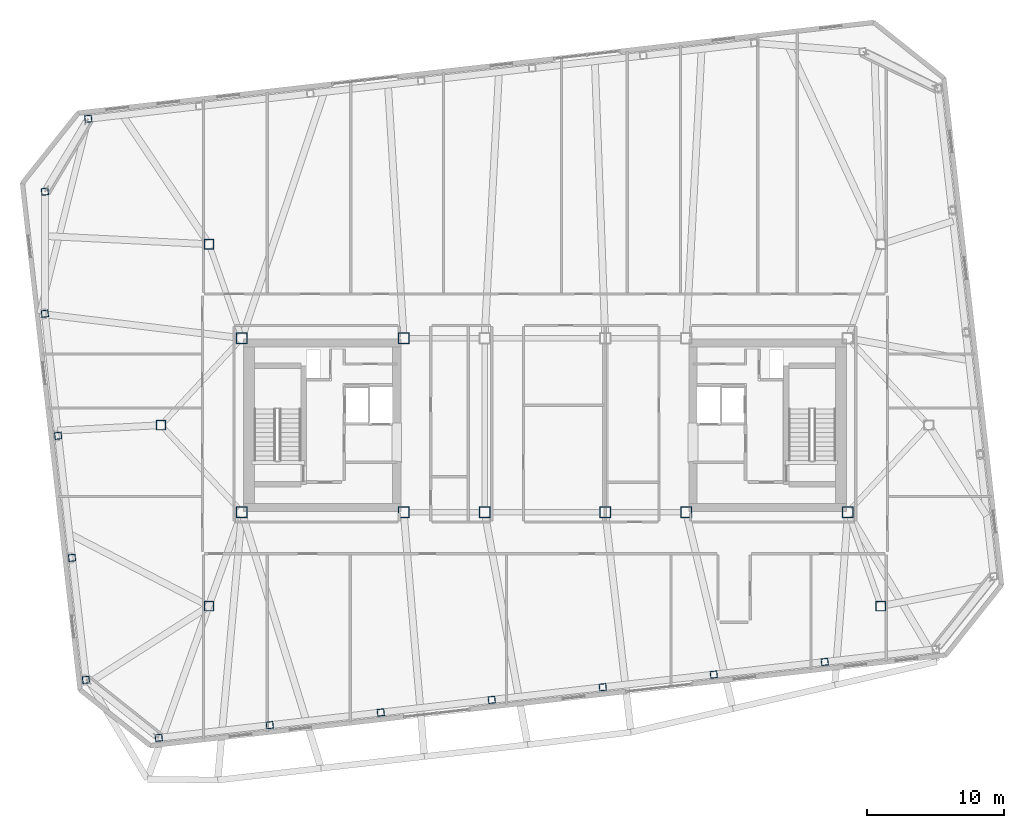
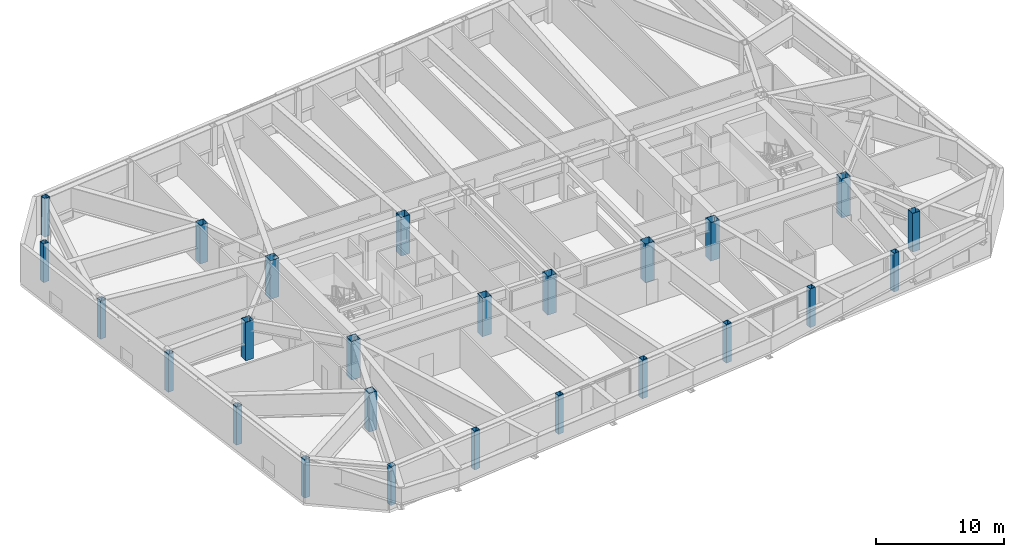
# One storey, part 1 of 18: 25 columns.
"""IFC4 building model written with IfcOpenShell, lengths in metres."""

from ifc_helpers import new_model, si_unit, direction, frame, origin, origin_2d, place, context, subcontext, project, spatial, hollow_rectangle, extrude, material, material_profile, profile_set, type_object, element, save


model = new_model("IFC4")

# Units and contexts
model_context = context("Model", 3, precision=1e-05, world=origin(), true_north=direction((0.0, 1.0)))
body_context = subcontext(model_context, "Body", "Model", "MODEL_VIEW")
ifc_project = project(units=[si_unit("LENGTHUNIT", "METRE"), si_unit("AREAUNIT", "SQUARE_METRE"), si_unit("VOLUMEUNIT", "CUBIC_METRE"), si_unit("PLANEANGLEUNIT", "RADIAN"), si_unit("MASSUNIT", "GRAM", prefix="KILO")], contexts=[model_context])

# Site, building, storey
site_placement = place(None, origin())
site = spatial("IfcSite", under=ifc_project, at=site_placement, CompositionType="ELEMENT")
building_placement = place(site_placement, origin())
building = spatial("IfcBuilding", under=site, at=building_placement, Name="Tavrogorsk Clinical Tower", CompositionType="ELEMENT")
storey_placement = place(building_placement, frame((0.0, 0.0, 267.0)))
storey = spatial("IfcBuildingStorey", under=building, at=storey_placement, Name="L62", CompositionType="ELEMENT", Elevation=267.0)

# Columns
ifc_material_1 = material(Name="Structural steel S440", Category="steel")
ifc_material_profile_1 = material_profile(ifc_material_1, hollow_rectangle(XDim=0.699951171875, YDim=0.699951171875, WallThickness=0.031982421875, at=origin_2d()), Name="BOX-700x700x32")
ifc_profile_set_1 = profile_set([ifc_material_profile_1], Name="Structural steel S440")
column_type_1 = type_object("IfcColumnType", Name="MegaCol_BOX700", PredefinedType="COLUMN", material=ifc_profile_set_1)
for number, where, z_axis, x_axis, name in (
    (1, (-24.5, -13.199951171875, 0.0), (0.0, 0.0, 1.0), (1.0, 0.0, 0.0), "L62 Spine Pilotis Column MC-P1"),
    (2, (24.5, -13.199951171875, 0.0), (0.0, 0.0, 1.0), (1.0, 0.0, 0.0), "L62 Spine Pilotis Column MC-P2"),
    (3, (-24.5, 13.199951171875, 0.0), (0.0, 0.0, 1.0), (1.0, 0.0, 0.0), "L62 Spine Pilotis Column MC-P3"),
    (4, (-28.0, 0.0, 0.0), (0.0, 0.0, 1.0), (1.0, 0.0, 0.0), "L62 Spine Pilotis Column MC-P5"),
):
    element("IfcColumn", number, at=place(storey_placement, frame(where, z_axis=z_axis, x_axis=x_axis)), inside=storey, type_object=column_type_1, Name=name, PredefinedType="COLUMN", context=body_context, shape_type="SweptSolid", body=[
        extrude(hollow_rectangle(XDim=0.699951171875, YDim=0.699951171875, WallThickness=0.031982421875, at=origin_2d()), origin(), (0.0, 0.0, 1.0), 3.679931640625),
    ])
ifc_material_2 = material(Name="Structural steel S440", Category="steel")
ifc_material_profile_2 = material_profile(ifc_material_2, hollow_rectangle(XDim=0.800048828125, YDim=0.800048828125, WallThickness=0.035888671875, at=origin_2d()), Name="BOX-800x800x36")
ifc_profile_set_2 = profile_set([ifc_material_profile_2], Name="Structural steel S440")
column_type_2 = type_object("IfcColumnType", Name="MegaCol_BOX800", PredefinedType="COLUMN", material=ifc_profile_set_2)
for number, where, z_axis, x_axis, name in (
    (5, (-22.10009765625, -6.35009765625, 0.0), (0.0, 0.0, 1.0), (1.0, 0.0, 0.0), "L62 Mega Column MC-W1"),
    (6, (-22.10009765625, 6.35009765625, 0.0), (0.0, 0.0, 1.0), (1.0, 0.0, 0.0), "L62 Mega Column MC-W2"),
    (7, (-10.300048828125, -6.35009765625, 0.0), (0.0, 0.0, 1.0), (1.0, 0.0, 0.0), "L62 Mega Column MC-W3"),
    (8, (-10.300048828125, 6.35009765625, 0.0), (0.0, 0.0, 1.0), (1.0, 0.0, 0.0), "L62 Mega Column MC-W4"),
    (9, (10.300048828125, -6.35009765625, 0.0), (0.0, 0.0, 1.0), (1.0, 0.0, 0.0), "L62 Mega Column MC-E1"),
    (10, (22.10009765625, -6.35009765625, 0.0), (0.0, 0.0, 1.0), (1.0, 0.0, 0.0), "L62 Mega Column MC-E3"),
    (11, (-4.39990234375, -6.35009765625, 0.0), (0.0, 0.0, 1.0), (1.0, 0.0, 0.0), "L62 Mega Column MC-C1"),
    (12, (4.39990234375, -6.35009765625, 0.0), (0.0, 0.0, 1.0), (1.0, 0.0, 0.0), "L62 Mega Column MC-C2"),
):
    element("IfcColumn", number, at=place(storey_placement, frame(where, z_axis=z_axis, x_axis=x_axis)), inside=storey, type_object=column_type_2, Name=name, PredefinedType="COLUMN", context=body_context, shape_type="SweptSolid", body=[
        extrude(hollow_rectangle(XDim=0.800048828125, YDim=0.800048828125, WallThickness=0.035888671875, at=origin_2d()), origin(), (0.0, 0.0, 1.0), 3.679931640625),
    ])
ifc_material_3 = material(Name="Structural steel S440", Category="steel")
ifc_material_profile_3 = material_profile(ifc_material_3, hollow_rectangle(XDim=0.5, YDim=0.5, WallThickness=0.02490234375, at=origin_2d()), Name="BOX-500x500x25")
ifc_profile_set_3 = profile_set([ifc_material_profile_3], Name="Structural steel S440")
column_type_3 = type_object("IfcColumnType", Name="PerimCol_B4_BOX500", PredefinedType="COLUMN", material=ifc_profile_set_3)
for number, where, z_axis, x_axis, name in (
    (13, (-28.164794921875, -22.802490234375, 0.0), (0.0, 0.0, 1.0), (0.993571855677, 0.113203213768, 0.0), "L62 Perimeter Column S1"),
    (14, (-20.068603515625, -21.880126953125, 0.0), (0.0, 0.0, 1.0), (0.993571855677, 0.113203213768, 0.0), "L62 Perimeter Column S2"),
    (15, (-11.972412109375, -20.95751953125, 0.0), (0.0, 0.0, 1.0), (0.993571855677, 0.113203213768, 0.0), "L62 Perimeter Column S3"),
    (16, (-3.876220703125, -20.03515625, 0.0), (0.0, 0.0, 1.0), (0.993571855677, 0.113203213768, 0.0), "L62 Perimeter Column S4"),
    (17, (4.22021484375, -19.11279296875, 0.0), (0.0, 0.0, 1.0), (0.993571855677, 0.113203213768, 0.0), "L62 Perimeter Column S5"),
    (18, (12.31640625, -18.190185546875, 0.0), (0.0, 0.0, 1.0), (0.993571855677, 0.113203213768, 0.0), "L62 Perimeter Column S6"),
    (19, (20.412353515625, -17.267822265625, 0.0), (0.0, 0.0, 1.0), (0.993571855677, 0.113203213768, 0.0), "L62 Perimeter Column S7"),
    (20, (-33.30859375, 22.345458984375, 0.0), (0.0, 0.0, 1.0), (0.993571855677, 0.113203213768, 0.0), "L62 Perimeter Column N8"),
    (21, (-36.469970703125, 17.032958984375, 0.0), (0.0, 0.0, 1.0), (0.993571855677, 0.113203213768, 0.0), "L62 Perimeter Column W1"),
    (22, (-36.469970703125, 8.130615234375, 0.0), (0.0, 0.0, 1.0), (0.993571855677, 0.113203213768, 0.0), "L62 Perimeter Column W2"),
    (23, (-35.505859375, -0.77197265625, 0.0), (0.0, 0.0, 1.0), (0.993571855677, 0.113203213768, 0.0), "L62 Perimeter Column W3"),
    (24, (-34.491455078125, -9.67431640625, 0.0), (0.0, 0.0, 1.0), (0.993571855677, 0.113203213768, 0.0), "L62 Perimeter Column W4"),
    (25, (-33.477294921875, -18.57666015625, 0.0), (0.0, 0.0, 1.0), (0.993571855677, 0.113203213768, 0.0), "L62 Perimeter Column W5"),
):
    element("IfcColumn", number, at=place(storey_placement, frame(where, z_axis=z_axis, x_axis=x_axis)), inside=storey, type_object=column_type_3, Name=name, PredefinedType="COLUMN", context=body_context, shape_type="SweptSolid", body=[
        extrude(hollow_rectangle(XDim=0.5, YDim=0.5, WallThickness=0.02490234375, at=origin_2d()), origin(), (0.0, 0.0, 1.0), 3.679931640625),
    ])

save(model, "model.ifc")
